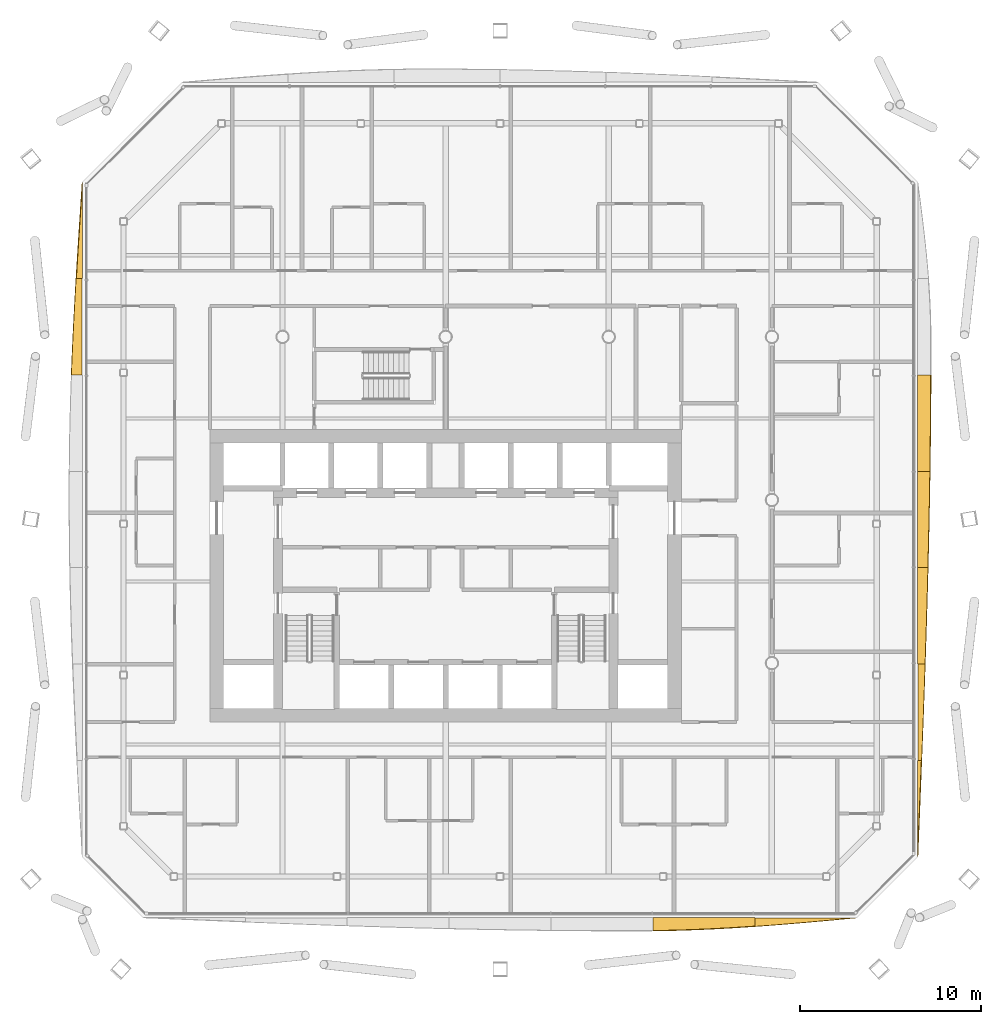
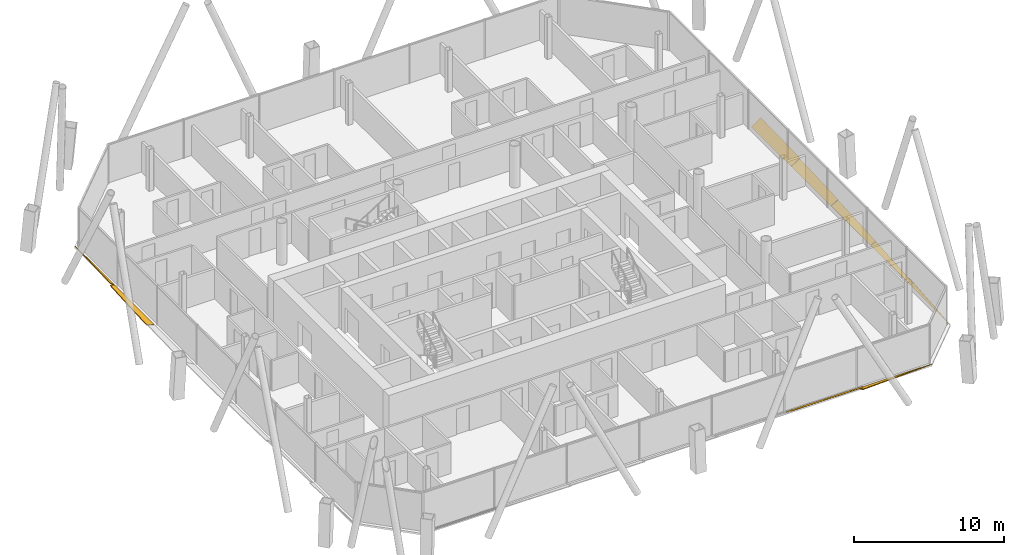
# One storey, part 21 of 23: 9 shading devices.
"""IFC4 building model written with IfcOpenShell, lengths in metres."""

from ifc_helpers import new_model, si_unit, direction, frame, origin, place, context, subcontext, project, spatial, polyline, outline, extrude, material, layer, layer_set, type_object, element, save


model = new_model("IFC4")

# Units and contexts
model_context = context("Model", 3, precision=1e-05, world=origin(), true_north=direction((0.0, 1.0)))
body_context = subcontext(model_context, "Body", "Model", "MODEL_VIEW")
ifc_project = project(units=[si_unit("LENGTHUNIT", "METRE"), si_unit("AREAUNIT", "SQUARE_METRE"), si_unit("VOLUMEUNIT", "CUBIC_METRE"), si_unit("PLANEANGLEUNIT", "RADIAN"), si_unit("MASSUNIT", "GRAM", prefix="KILO")], contexts=[model_context])

# Site, building, storey
site_placement = place(None, origin())
site = spatial("IfcSite", under=ifc_project, at=site_placement, CompositionType="ELEMENT")
building_placement = place(site_placement, origin())
building = spatial("IfcBuilding", under=site, at=building_placement, Name="Tskaro Facet Tower", CompositionType="ELEMENT")
storey_placement = place(building_placement, frame((0.0, 0.0, 131.699951171875)))
storey = spatial("IfcBuildingStorey", under=building, at=storey_placement, Name="L31", CompositionType="ELEMENT", Elevation=131.699951171875)

# Shading devices
ifc_material = material(Name="Bronze anodised aluminium 6063-T6", Category="aluminium")
ifc_layer = layer(ifc_material, 0.06005859375, Name="Bronze anodised aluminium 6063-T6")
ifc_layer_set = layer_set([ifc_layer], Name="Bronze anodised aluminium 6063-T6")
shading_device_type = type_object("IfcShadingDeviceType", Name="Bronze sun blade (FN1)", PredefinedType="USERDEFINED", material=ifc_layer_set)
shading_device_1_placement = place(storey_placement, frame((11.433349609375, -23.031494140625, 0.0458984375), z_axis=(-1.2619757e-05, 0.642870464746, 0.765974911729), x_axis=(0.99999999992, 8.112869e-06, 9.666417e-06)))
element("IfcShadingDevice", 1, at=shading_device_1_placement, inside=storey, type_object=shading_device_type, Name="Fin blade south 6", ObjectType="FIN", PredefinedType="USERDEFINED", context=body_context, shape_type="SweptSolid", body=[
    extrude(outline(polyline([(0.0, 0.0), (5.6223144526773, 4.7622855816209186e-21), (5.622314455045334, -0.6248719756260378), (4.91967773441354, -0.6865770899288632), (4.216796873788829, -0.7429057979798359), (3.513916015397579, -0.7933271377944893), (2.8112792971255196, -0.8373402021849852), (2.1083984373434066, -0.8746010347605553), (1.4057617173012005, -0.9051096355211997), (0.7028808593310182, -0.9281480368887527), (9.64782223016164e-11, -0.9440902500506114), (0.0, 0.0)])), origin(), (0.0, 0.0, -1.0), 0.06005859375),
])
shading_device_2_placement = place(storey_placement, frame((17.0556640625, -23.049560546875, 0.056396484375), z_axis=(3.88724e-06, 0.342240634005, 0.939612339436), x_axis=(0.999999999992, -1.330372e-06, -3.652499e-06)))
element("IfcShadingDevice", 2, at=shading_device_2_placement, inside=storey, type_object=shading_device_type, Name="Fin blade south 7", ObjectType="FIN", PredefinedType="USERDEFINED", context=body_context, shape_type="SweptSolid", body=[
    extrude(outline(polyline([(0.0, 0.0), (5.622314453082522, 1.1905713954052296e-21), (4.919433593936665, -0.0693539638989486), (4.216796874441411, -0.13801973516646887), (3.513916016021937, -0.20574664927570016), (2.8112792968456004, -0.2717842257359785), (2.1083984371210533, -0.33573595731892064), (1.4055175786071454, -0.39697593925233393), (0.7028808591710357, -0.4549830885893638), (-8.690079860841837e-11, -0.5092773432593403), (0.0, 0.0)])), origin(), (0.0, 0.0, -1.0), 0.06005859375),
])
shading_device_3_placement = place(storey_placement, frame((26.031494140625, -19.677978515625, 0.0458984375), z_axis=(-0.643415886752, 3.0637907e-05, 0.765516816103), x_axis=(1.9712916e-05, 0.999999999531, -2.3453833e-05)))
element("IfcShadingDevice", 3, at=shading_device_3_placement, inside=storey, type_object=shading_device_type, Name="Fin blade east 1", ObjectType="FIN", PredefinedType="USERDEFINED", context=body_context, shape_type="SweptSolid", body=[
    extrude(outline(polyline([(0.0, 0.0), (5.314941403755482, 9.003860967639706e-21), (5.31494140874785, -0.2760500275743594), (4.650390621551987, -0.2424159014499082), (3.9860839864330755, -0.20846760741185666), (3.3217773416887173, -0.1741455258657667), (2.657470702670392, -0.13966636036287652), (1.9931640645653776, -0.104843217149167), (1.32861327529672, -0.06999026413823844), (0.6643066371917051, -0.03516712092452892), (0.0, 0.0)])), origin(), (0.0, 0.0, -1.0), 0.06005859375),
])
shading_device_4_placement = place(storey_placement, frame((26.049560546875, -14.363037109375, 0.056396484375), z_axis=(-0.342184548755, -1.1445793e-05, 0.939632765745), x_axis=(-3.916574e-06, 0.999999999934, 1.0754842e-05)))
element("IfcShadingDevice", 4, at=shading_device_4_placement, inside=storey, type_object=shading_device_type, Name="Fin blade east 2", ObjectType="FIN", PredefinedType="USERDEFINED", context=body_context, shape_type="SweptSolid", body=[
    extrude(outline(polyline([(0.0, 0.0), (5.314697265276871, 2.2508618443333574e-21), (5.314697265825154, -0.4308082502855134), (4.650390624896183, -0.40663341584252577), (3.986083984923408, -0.38222917886882346), (3.3217773425678288, -0.35696965200376984), (2.657226563169154, -0.3315642637576054), (1.9929199220126597, -0.30530358562008947), (1.3286132808561655, -0.2790429074825736), (0.6643066399425614, -0.25201048060331005), (-9.710425579992158e-10, -0.22497805372404653), (0.0, 0.0)])), origin(), (0.0, 0.0, -1.0), 0.06005859375),
])
shading_device_5_placement = place(storey_placement, frame((26.044677734375, -9.04833984375, 0.054443359375), z_axis=(-0.422564038707, 1.386177e-06, 0.906333069677), x_axis=(5.85748e-07, 0.999999999999, -1.256338e-06)))
element("IfcShadingDevice", 5, at=shading_device_5_placement, inside=storey, type_object=shading_device_type, Name="Fin blade east 3", ObjectType="FIN", PredefinedType="USERDEFINED", context=body_context, shape_type="SweptSolid", body=[
    extrude(outline(polyline([(0.0, 0.0), (5.314941406244894, 0.0), (5.314941406266356, -0.6217030347815312), (4.650634765610502, -0.6025882249122791), (3.986083984371075, -0.5823819940576448), (3.321777343777361, -0.5616300527103195), (2.657470703061354, -0.5401111281482138), (1.9931640625297793, -0.5177220553228152), (1.3288574218759122, -0.49456599928263634), (0.6643066406177585, -0.4708642327497663), (5.3177328669258624e-12, -0.4466167557242052), (0.0, 0.0)])), origin(), (0.0, 0.0, -1.0), 0.06005859375),
])
shading_device_6_placement = place(storey_placement, frame((26.0400390625, -3.7333984375, 0.052001953125), z_axis=(-0.500055332406, -9.19613e-07, 0.865993455247), x_axis=(-4.59857e-07, 1.0, 7.96379e-07)))
element("IfcShadingDevice", 6, at=shading_device_6_placement, inside=storey, type_object=shading_device_type, Name="Fin blade east 4", ObjectType="FIN", PredefinedType="USERDEFINED", context=body_context, shape_type="SweptSolid", body=[
    extrude(outline(polyline([(0.0, 0.0), (5.314941406247752, 2.813706552387408e-22), (5.314941406301827, -0.7781323575047784), (4.650390624936843, -0.765655514078639), (3.98608398445151, -0.7522108900974709), (3.321777343719702, -0.7377657421019077), (2.6574707030481157, -0.7222307297299275), (1.9929199218117524, -0.7056058529815304), (1.3286132813427702, -0.6882246198615147), (0.6643066406273125, -0.669842862727104), (5.4235741074697927e-11, -0.6507047492210747), (0.0, 0.0)])), origin(), (0.0, 0.0, -1.0), 0.06005859375),
])
shading_device_7_placement = place(storey_placement, frame((26.03564453125, 1.58154296875, 0.04931640625), z_axis=(-0.573495656162, -1.5008454e-05, 0.819208601114), x_axis=(-8.607283e-06, 0.999999999887, 1.2295055e-05)))
element("IfcShadingDevice", 7, at=shading_device_7_placement, inside=storey, type_object=shading_device_type, Name="Fin blade east 5", ObjectType="FIN", PredefinedType="USERDEFINED", context=body_context, shape_type="SweptSolid", body=[
    extrude(outline(polyline([(0.0, 0.0), (5.314697265026423, 4.501723688666715e-21), (5.314697266886548, -0.8869945665927913), (4.650390623637181, -0.8829944034145838), (3.9860839827899186, -0.8779142046608692), (3.3217773434444275, -0.8714139546437986), (2.657226563774682, -0.8640336711511247), (1.9929199211285693, -0.8552933249070522), (1.328613280884562, -0.845472943087473), (0.6643066409412727, -0.8347725277922908), (-5.01968514227538e-10, -0.8225120476458063), (0.0, 0.0)])), origin(), (0.0, 0.0, -1.0), 0.06005859375),
])
shading_device_8_placement = place(storey_placement, frame((-20.031494140625, 17.52587890625, 0.0458984375), z_axis=(0.643187351137, -1.5058208e-05, 0.765708842257), x_axis=(-9.685249e-06, -0.999999999887, -1.1530203e-05)))
element("IfcShadingDevice", 8, at=shading_device_8_placement, inside=storey, type_object=shading_device_type, Name="Fin blade west 1", ObjectType="FIN", PredefinedType="USERDEFINED", context=body_context, shape_type="SweptSolid", body=[
    extrude(outline(polyline([(0.0, 0.0), (5.314697265022447, 0.0), (5.314697266219743, -0.44344331687341054), (4.650390625900098, -0.3914591351307818), (3.9860839845671743, -0.3382561063610521), (3.3217773422209724, -0.2838342305642215), (2.657226560601084, -0.228380448375628), (1.9929199209574517, -0.1718947597952714), (1.328613281764248, -0.11506510241766055), (0.6643066406569099, -0.05770453560745743), (0.0, 0.0)])), origin(), (0.0, 0.0, -1.0), 0.06005859375),
])
shading_device_9_placement = place(storey_placement, frame((-20.049560546875, 12.211181640625, 0.056396484375), z_axis=(0.342211009077, 8.754198e-06, 0.939623129339), x_axis=(2.995783e-06, -0.999999999962, 8.225647e-06)))
element("IfcShadingDevice", 9, at=shading_device_9_placement, inside=storey, type_object=shading_device_type, Name="Fin blade west 2", ObjectType="FIN", PredefinedType="USERDEFINED", context=body_context, shape_type="SweptSolid", body=[
    extrude(outline(polyline([(0.0, 0.0), (5.314941406046342, 0.0), (5.314941405995542, -0.6399548444350204), (4.650634765334607, -0.6121506686055039), (3.986083984606568, -0.5820312483444321), (3.3217773443300143, -0.5498259838298752), (2.6574707031485625, -0.5157642752399035), (1.9931640617936062, -0.47961672239644665), (1.3288574215419666, -0.44169627308721615), (0.6643066410372612, -0.40223232749028215), (-1.2101357749984156e-09, -0.36137073817407356), (0.0, 0.0)])), origin(), (0.0, 0.0, -1.0), 0.06005859375),
])

save(model, "model.ifc")
